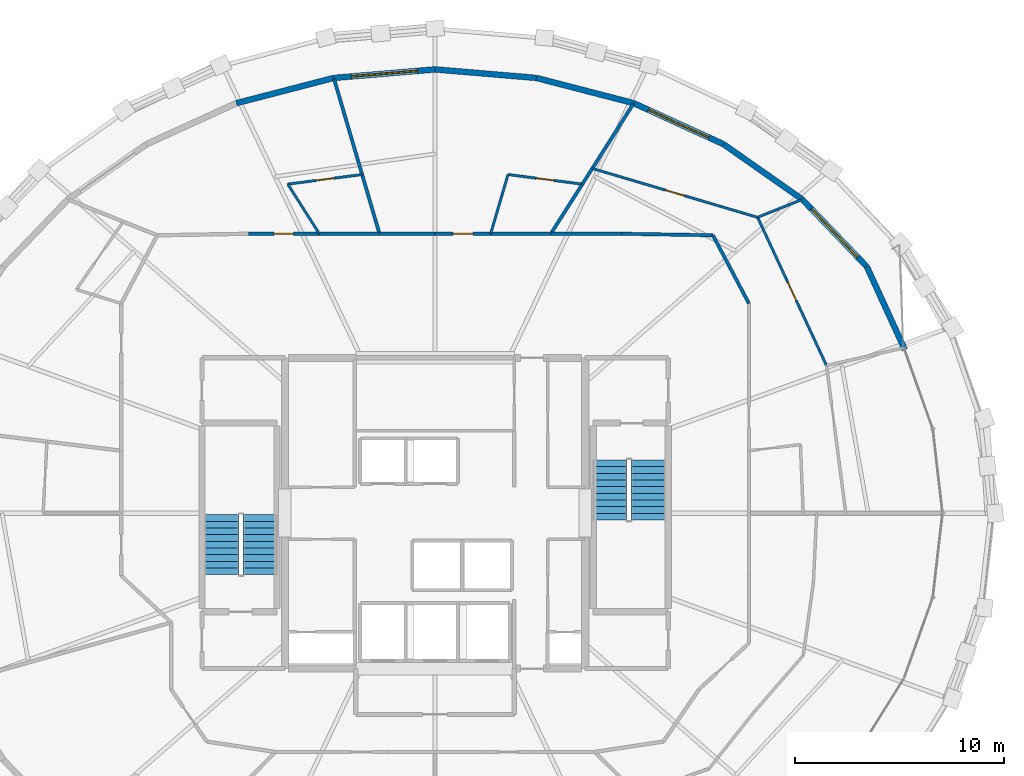
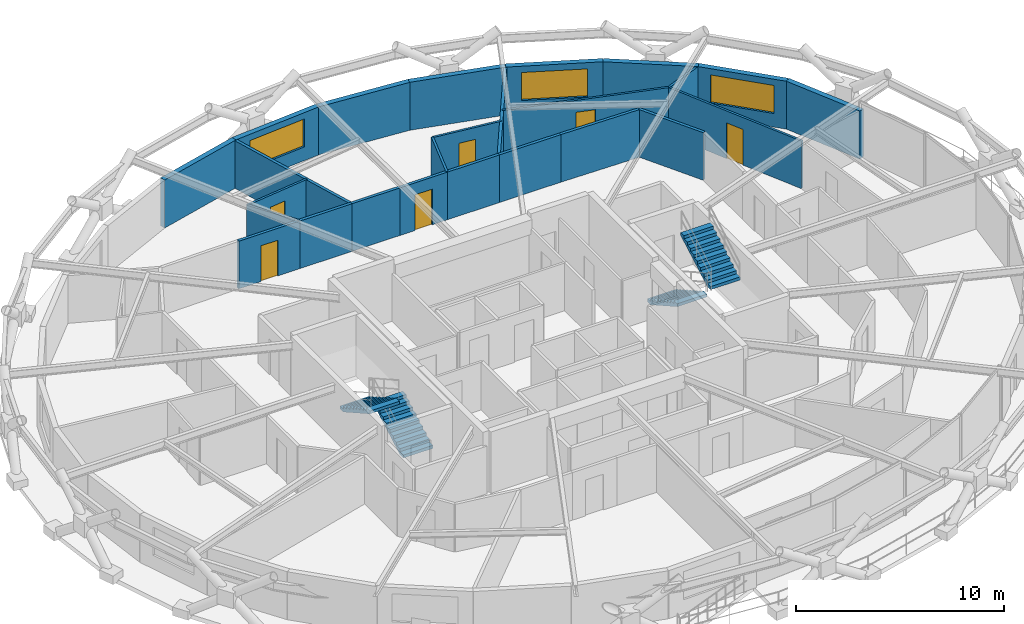
# One storey, part 15 of 16: 25 walls, 6 doors, 4 stair flights, 3 windows, 9 openings, 2 elements without a shape of their own.
"""IFC4 building model written with IfcOpenShell, lengths in metres."""

from ifc_helpers import new_model, si_unit, direction, frame, frame_2d, origin, place, context, subcontext, project, spatial, polyline, rectangle, outline, extrude, material, layer, layer_set, type_object, element, fill, aggregate, save


model = new_model("IFC4")

# Units and contexts
model_context = context("Model", 3, precision=1e-05, world=origin(), true_north=direction((0.0, 1.0)))
body_context = subcontext(model_context, "Body", "Model", "MODEL_VIEW")
ifc_project = project(units=[si_unit("LENGTHUNIT", "METRE"), si_unit("AREAUNIT", "SQUARE_METRE"), si_unit("VOLUMEUNIT", "CUBIC_METRE"), si_unit("PLANEANGLEUNIT", "RADIAN"), si_unit("MASSUNIT", "GRAM", prefix="KILO")], contexts=[model_context])

# Site, building, storey
site_placement = place(None, origin())
site = spatial("IfcSite", under=ifc_project, at=site_placement, CompositionType="ELEMENT")
building_placement = place(site_placement, origin())
building = spatial("IfcBuilding", under=site, at=building_placement, Name="Veldorina Hangang Commons", CompositionType="ELEMENT")
storey_placement = place(building_placement, frame((0.0, 0.0, 192.800048828125)))
storey = spatial("IfcBuildingStorey", under=building, at=storey_placement, Name="L50", CompositionType="ELEMENT", Elevation=192.800048828125)

# Wall
ifc_material_1 = material(Name="Stone Roman Travertine", Category="masonry")
ifc_layer_1 = layer(ifc_material_1, 0.280029296875)
ifc_layer_set_1 = layer_set([ifc_layer_1], Name="Stone Roman Travertine")
wall_type_1 = type_object("IfcWallType", Name="EW-TRAV-280", PredefinedType="STANDARD", material=ifc_layer_set_1)
wall_1_placement = place(storey_placement, frame((54.525390625, 31.845458984375, 0.0), z_axis=(0.0, 0.0, 1.0), x_axis=(-0.416479815363, 0.909144962806, 0.0)))
element("IfcWall", 1, at=wall_1_placement, inside=storey, type_object=wall_type_1, Name="L50 travertine facade wall 02", PredefinedType="STANDARD", context=body_context, shape_type="SweptSolid", body=[
    extrude(rectangle(XDim=4.374267578125, YDim=0.280029296875, at=frame_2d((2.18701171875, 0.0))), origin(), (0.0, 0.0, 1.0), 2.820068359375),
])

# Wall, opening, window
wall_2_placement = place(storey_placement, frame((52.70361328125, 35.822265625, 0.0), z_axis=(0.0, 0.0, 1.0), x_axis=(-0.692654585046, 0.721269454375, 0.0)))
wall_2 = element("IfcWall", 2, at=wall_2_placement, inside=storey, type_object=wall_type_1, Name="L50 travertine facade wall 03", PredefinedType="STANDARD", context=body_context, shape_type="SweptSolid", body=[
    extrude(rectangle(XDim=4.470703125, YDim=0.280029296875, at=frame_2d((2.2353515625, 0.0))), origin(), (0.0, 0.0, 1.0), 2.820068359375),
])
opening_1_placement = place(wall_2_placement, frame((0.63525390625, 0.0, 0.800048828125)))
opening_1 = element("IfcOpeningElement", 3, at=opening_1_placement, cuts=wall_2, Name="Opening W-01", PredefinedType="OPENING", context=body_context, shape_type="SweptSolid", body=[
    extrude(rectangle(XDim=3.199951171875, YDim=1.64990234375, at=frame_2d((1.60009765625, 0.824951171875))), frame((0.0, 0.14990234375, 0.0), z_axis=(0.0, -1.0, 0.0), x_axis=(1.0, 0.0, 0.0)), (0.0, 0.0, 1.0), 0.300048828125),
])
ifc_material_2 = material(Name="Glass Low-E Triple IGU", Category="glass")
window_type = type_object("IfcWindowType", Name="WIN-TWR-3200", PartitioningType="SINGLE_PANEL", PredefinedType="WINDOW", material=ifc_material_2)
window_1_placement = place(opening_1_placement, origin())
window_1 = element("IfcWindow", 4, at=window_1_placement, inside=storey, type_object=window_type, Name="L50 facade window 03", OverallHeight=1.64990234375, OverallWidth=3.199951171875, PartitioningType="SINGLE_PANEL", PredefinedType="WINDOW", context=body_context, shape_type="SweptSolid", body=[
    extrude(rectangle(XDim=3.199951171875, YDim=1.64990234375, at=frame_2d((1.60009765625, 0.824951171875))), frame((0.0, 0.030029296875, 0.0), z_axis=(0.0, -1.0, 0.0), x_axis=(1.0, 0.0, 0.0)), (0.0, 0.0, 1.0), 0.06005859375),
])
fill(opening_1, window_1)

# Wall
wall_3_placement = place(storey_placement, frame((49.60693359375, 39.046875, 0.0), z_axis=(0.0, 0.0, 1.0), x_axis=(-0.818721405334, 0.574190961657, 0.0)))
element("IfcWall", 5, at=wall_3_placement, inside=storey, type_object=wall_type_1, Name="L50 travertine facade wall 04", PredefinedType="STANDARD", context=body_context, shape_type="SweptSolid", body=[
    extrude(rectangle(XDim=4.608642578125, YDim=0.280029296875, at=frame_2d((2.30419921875, 0.0))), origin(), (0.0, 0.0, 1.0), 2.820068359375),
])

# Wall, opening, window
wall_4_placement = place(storey_placement, frame((45.833740234375, 41.693115234375, 0.0), z_axis=(0.0, 0.0, 1.0), x_axis=(-0.909587572303, 0.415512272155, 0.0)))
wall_4 = element("IfcWall", 6, at=wall_4_placement, inside=storey, type_object=wall_type_1, Name="L50 travertine facade wall 05", PredefinedType="STANDARD", context=body_context, shape_type="SweptSolid", body=[
    extrude(rectangle(XDim=4.73291015625, YDim=0.280029296875, at=frame_2d((2.366455078125, 0.0))), origin(), (0.0, 0.0, 1.0), 2.820068359375),
])
opening_2_placement = place(wall_4_placement, frame((0.766357421875, 0.0, 0.800048828125)))
opening_2 = element("IfcOpeningElement", 7, at=opening_2_placement, cuts=wall_4, Name="Opening W-01", PredefinedType="OPENING", context=body_context, shape_type="SweptSolid", body=[
    extrude(rectangle(XDim=3.199951171875, YDim=1.64990234375, at=frame_2d((1.60009765625, 0.824951171875))), frame((0.0, 0.14990234375, 0.0), z_axis=(0.0, -1.0, 0.0), x_axis=(1.0, 0.0, 0.0)), (0.0, 0.0, 1.0), 0.300048828125),
])
window_2_placement = place(opening_2_placement, origin())
window_2 = element("IfcWindow", 8, at=window_2_placement, inside=storey, type_object=window_type, Name="L50 facade window 05", OverallHeight=1.64990234375, OverallWidth=3.199951171875, PartitioningType="SINGLE_PANEL", PredefinedType="WINDOW", context=body_context, shape_type="SweptSolid", body=[
    extrude(rectangle(XDim=3.199951171875, YDim=1.64990234375, at=frame_2d((1.60009765625, 0.824951171875))), frame((0.0, 0.030029296875, 0.0), z_axis=(0.0, -1.0, 0.0), x_axis=(1.0, 0.0, 0.0)), (0.0, 0.0, 1.0), 0.06005859375),
])
fill(opening_2, window_2)

# Walls
wall_5_placement = place(storey_placement, frame((41.52880859375, 43.65966796875, 0.0), z_axis=(0.0, 0.0, 1.0), x_axis=(-0.968001905281, 0.250942844833, 0.0)))
element("IfcWall", 9, at=wall_5_placement, inside=storey, type_object=wall_type_1, Name="L50 travertine facade wall 06", PredefinedType="STANDARD", context=body_context, shape_type="SweptSolid", body=[
    extrude(rectangle(XDim=4.825439453125, YDim=0.280029296875, at=frame_2d((2.41259765625, 0.0))), origin(), (0.0, 0.0, 1.0), 2.820068359375),
])
wall_6_placement = place(storey_placement, frame((36.857666015625, 44.87060546875, 0.0), z_axis=(0.0, 0.0, 1.0), x_axis=(-0.996479473867, 0.083837092992, 0.0)))
element("IfcWall", 10, at=wall_6_placement, inside=storey, type_object=wall_type_1, Name="L50 travertine facade wall 07", PredefinedType="STANDARD", context=body_context, shape_type="SweptSolid", body=[
    extrude(rectangle(XDim=4.874755859375, YDim=0.280029296875, at=frame_2d((2.4375, 0.0))), origin(), (0.0, 0.0, 1.0), 2.820068359375),
])

# Wall, opening, window
wall_7_placement = place(storey_placement, frame((32.0, 45.279296875, 0.0), z_axis=(0.0, 0.0, 1.0), x_axis=(-0.996479473867, -0.083837092992, 0.0)))
wall_7 = element("IfcWall", 11, at=wall_7_placement, inside=storey, type_object=wall_type_1, Name="L50 travertine facade wall 08", PredefinedType="STANDARD", context=body_context, shape_type="SweptSolid", body=[
    extrude(rectangle(XDim=4.874755859375, YDim=0.280029296875, at=frame_2d((2.4375, 0.0))), origin(), (0.0, 0.0, 1.0), 2.820068359375),
])
opening_3_placement = place(wall_7_placement, frame((0.83740234375, 0.0, 0.800048828125)))
opening_3 = element("IfcOpeningElement", 12, at=opening_3_placement, cuts=wall_7, Name="Opening W-01", PredefinedType="OPENING", context=body_context, shape_type="SweptSolid", body=[
    extrude(rectangle(XDim=3.199951171875, YDim=1.64990234375, at=frame_2d((1.60009765625, 0.824951171875))), frame((0.0, 0.14990234375, 0.0), z_axis=(0.0, -1.0, 0.0), x_axis=(1.0, 0.0, 0.0)), (0.0, 0.0, 1.0), 0.300048828125),
])
window_3_placement = place(opening_3_placement, origin())
window_3 = element("IfcWindow", 13, at=window_3_placement, inside=storey, type_object=window_type, Name="L50 facade window 08", OverallHeight=1.64990234375, OverallWidth=3.199951171875, PartitioningType="SINGLE_PANEL", PredefinedType="WINDOW", context=body_context, shape_type="SweptSolid", body=[
    extrude(rectangle(XDim=3.199951171875, YDim=1.64990234375, at=frame_2d((1.60009765625, 0.824951171875))), frame((0.0, 0.030029296875, 0.0), z_axis=(0.0, -1.0, 0.0), x_axis=(1.0, 0.0, 0.0)), (0.0, 0.0, 1.0), 0.06005859375),
])
fill(opening_3, window_3)

# Walls
wall_8_placement = place(storey_placement, frame((27.142333984375, 44.87060546875, 0.0), z_axis=(0.0, 0.0, 1.0), x_axis=(-0.968001905281, -0.250942844833, 0.0)))
element("IfcWall", 14, at=wall_8_placement, inside=storey, type_object=wall_type_1, Name="L50 travertine facade wall 09", PredefinedType="STANDARD", context=body_context, shape_type="SweptSolid", body=[
    extrude(rectangle(XDim=4.825439453125, YDim=0.280029296875, at=frame_2d((2.41259765625, 0.0))), origin(), (0.0, 0.0, 1.0), 2.820068359375),
])
ifc_material_3 = material(Name="Gypsum Fire-Rated Twin Stud Wall", Category="gypsum")
ifc_layer_2 = layer(ifc_material_3, 0.159912109375)
ifc_layer_set_2 = layer_set([ifc_layer_2], Name="Gypsum Fire-Rated Twin Stud Wall")
wall_type_2 = type_object("IfcWallType", Name="WL-FIRE-160", PredefinedType="SOLIDWALL", material=ifc_layer_set_2)
wall_9_placement = place(storey_placement, frame((47.050048828125, 34.05615234375, 0.0), z_axis=(0.0, 0.0, 1.0), x_axis=(-0.466737093093, 0.884396113702, 0.0)))
element("IfcWall", 15, at=wall_9_placement, inside=storey, type_object=wall_type_2, Name="L50 U-corridor outer wall 03 047", PredefinedType="SOLIDWALL", context=body_context, shape_type="SweptSolid", body=[
    extrude(rectangle(XDim=3.696044921875, YDim=0.159912109375, at=frame_2d((1.84814453125, 0.0))), origin(), (0.0, 0.0, 1.0), 2.800048828125),
])
wall_10_placement = place(storey_placement, frame((45.324951171875, 37.324951171875, 0.0), z_axis=(0.0, 0.0, 1.0), x_axis=(-0.999853038912, 0.017143528788, 0.0)))
element("IfcWall", 16, at=wall_10_placement, inside=storey, type_object=wall_type_2, Name="L50 U-corridor outer wall 04 048", PredefinedType="SOLIDWALL", context=body_context, shape_type="SweptSolid", body=[
    extrude(rectangle(XDim=4.3720703125, YDim=0.159912109375, at=frame_2d((2.18603515625, 0.0))), origin(), (0.0, 0.0, 1.0), 2.800048828125),
])
wall_11_placement = place(storey_placement, frame((40.95361328125, 37.39990234375, 0.0), z_axis=(0.0, 0.0, 1.0), x_axis=(-1.0, 0.0, 0.0)))
element("IfcWall", 17, at=wall_11_placement, inside=storey, type_object=wall_type_2, Name="L50 U-corridor outer wall 05 049", PredefinedType="SOLIDWALL", context=body_context, shape_type="SweptSolid", body=[
    extrude(rectangle(XDim=3.403076171875, YDim=0.159912109375, at=frame_2d((1.70166015625, 0.0))), origin(), (0.0, 0.0, 1.0), 2.800048828125),
])
wall_12_placement = place(storey_placement, frame((37.550537109375, 37.39990234375, 0.0), z_axis=(0.0, 0.0, 1.0), x_axis=(-1.0, 0.0, 0.0)))
element("IfcWall", 18, at=wall_12_placement, inside=storey, type_object=wall_type_2, Name="L50 U-corridor outer wall 06 050", PredefinedType="SOLIDWALL", context=body_context, shape_type="SweptSolid", body=[
    extrude(rectangle(XDim=2.88525390625, YDim=0.159912109375, at=frame_2d((1.442626953125, 0.0))), origin(), (0.0, 0.0, 1.0), 2.800048828125),
])

# Wall, opening, door
wall_13_placement = place(storey_placement, frame((34.665283203125, 37.39990234375, 0.0), z_axis=(0.0, 0.0, 1.0), x_axis=(-1.0, 0.0, 0.0)))
wall_13 = element("IfcWall", 19, at=wall_13_placement, inside=storey, type_object=wall_type_2, Name="L50 U-corridor outer wall 07 051", PredefinedType="SOLIDWALL", context=body_context, shape_type="SweptSolid", body=[
    extrude(rectangle(XDim=2.665283203125, YDim=0.159912109375, at=frame_2d((1.33251953125, 0.0))), origin(), (0.0, 0.0, 1.0), 2.800048828125),
])
opening_4_placement = place(wall_13_placement, frame((0.857666015625, 0.0, 0.0)))
opening_4 = element("IfcOpeningElement", 20, at=opening_4_placement, cuts=wall_13, Name="Opening D-03", PredefinedType="OPENING", context=body_context, shape_type="SweptSolid", body=[
    extrude(rectangle(XDim=0.949951171875, YDim=2.10009765625, at=frame_2d((0.47509765625, 1.050048828125))), frame((0.0, 0.08984375, 0.0), z_axis=(0.0, -1.0, 0.0), x_axis=(1.0, 0.0, 0.0)), (0.0, 0.0, 1.0), 0.179931640625),
])
ifc_material_4 = material(Name="Timber Fire-Rated Entrance Core", Category="wood")
door_type_1 = type_object("IfcDoorType", Name="DR-UNIT-950", OperationType="SINGLE_SWING_RIGHT", PredefinedType="DOOR", material=ifc_material_4)
door_1_placement = place(opening_4_placement, origin())
door_1 = element("IfcDoor", 21, at=door_1_placement, inside=storey, type_object=door_type_1, Name="L50 Studio 3 entrance door 026", OperationType="SINGLE_SWING_RIGHT", OverallHeight=2.10009765625, OverallWidth=0.949951171875, PredefinedType="DOOR", context=body_context, shape_type="SweptSolid", body=[
    extrude(rectangle(XDim=0.949951171875, YDim=2.10009765625, at=frame_2d((0.47509765625, 1.050048828125))), frame((0.0, 0.02490234375, 0.0), z_axis=(0.0, -1.0, 0.0), x_axis=(1.0, 0.0, 0.0)), (0.0, 0.0, 1.0), 0.050048828125),
])
fill(opening_4, door_1)

# Walls
wall_14_placement = place(storey_placement, frame((32.0, 37.39990234375, 0.0), z_axis=(0.0, 0.0, 1.0), x_axis=(-1.0, 0.0, 0.0)))
element("IfcWall", 22, at=wall_14_placement, inside=storey, type_object=wall_type_2, Name="L50 U-corridor outer wall 08 052", PredefinedType="SOLIDWALL", context=body_context, shape_type="SweptSolid", body=[
    extrude(rectangle(XDim=2.665283203125, YDim=0.159912109375, at=frame_2d((1.33251953125, 0.0))), origin(), (0.0, 0.0, 1.0), 2.800048828125),
])
wall_15_placement = place(storey_placement, frame((29.334716796875, 37.39990234375, 0.0), z_axis=(0.0, 0.0, 1.0), x_axis=(-1.0, 0.0, 0.0)))
element("IfcWall", 23, at=wall_15_placement, inside=storey, type_object=wall_type_2, Name="L50 U-corridor outer wall 09 053", PredefinedType="SOLIDWALL", context=body_context, shape_type="SweptSolid", body=[
    extrude(rectangle(XDim=2.88525390625, YDim=0.159912109375, at=frame_2d((1.442626953125, 0.0))), origin(), (0.0, 0.0, 1.0), 2.800048828125),
])

# Wall, opening, door
wall_16_placement = place(storey_placement, frame((26.449462890625, 37.39990234375, 0.0), z_axis=(0.0, 0.0, 1.0), x_axis=(-1.0, 0.0, 0.0)))
wall_16 = element("IfcWall", 24, at=wall_16_placement, inside=storey, type_object=wall_type_2, Name="L50 U-corridor outer wall 10 054", PredefinedType="SOLIDWALL", context=body_context, shape_type="SweptSolid", body=[
    extrude(rectangle(XDim=3.403076171875, YDim=0.159912109375, at=frame_2d((1.70166015625, 0.0))), origin(), (0.0, 0.0, 1.0), 2.800048828125),
])
opening_5_placement = place(wall_16_placement, frame((1.2265625, 0.0, 0.0)))
opening_5 = element("IfcOpeningElement", 25, at=opening_5_placement, cuts=wall_16, Name="Opening D-03", PredefinedType="OPENING", context=body_context, shape_type="SweptSolid", body=[
    extrude(rectangle(XDim=0.949951171875, YDim=2.10009765625, at=frame_2d((0.47509765625, 1.050048828125))), frame((0.0, 0.08984375, 0.0), z_axis=(0.0, -1.0, 0.0), x_axis=(1.0, 0.0, 0.0)), (0.0, 0.0, 1.0), 0.179931640625),
])
door_2_placement = place(opening_5_placement, origin())
door_2 = element("IfcDoor", 26, at=door_2_placement, inside=storey, type_object=door_type_1, Name="L50 Studio 4 entrance door 028", OperationType="SINGLE_SWING_RIGHT", OverallHeight=2.10009765625, OverallWidth=0.949951171875, PredefinedType="DOOR", context=body_context, shape_type="SweptSolid", body=[
    extrude(rectangle(XDim=0.949951171875, YDim=2.10009765625, at=frame_2d((0.47509765625, 1.050048828125))), frame((0.0, 0.02490234375, 0.0), z_axis=(0.0, -1.0, 0.0), x_axis=(1.0, 0.0, 0.0)), (0.0, 0.0, 1.0), 0.050048828125),
])
fill(opening_5, door_2)

# Walls
wall_17_placement = place(storey_placement, frame((37.550537109375, 37.39990234375, 0.0), z_axis=(0.0, 0.0, 1.0), x_axis=(0.536373616105, 0.843980653775, 0.0)))
element("IfcWall", 27, at=wall_17_placement, inside=storey, type_object=wall_type_2, Name="L50 Unit party wall 06 090", PredefinedType="SOLIDWALL", context=body_context, shape_type="SweptSolid", body=[
    extrude(rectangle(XDim=7.366943359375, YDim=0.159912109375, at=frame_2d((3.68359375, 0.0))), origin(), (0.0, 0.0, 1.0), 2.800048828125),
])
wall_18_placement = place(storey_placement, frame((29.334716796875, 37.39990234375, 0.0), z_axis=(0.0, 0.0, 1.0), x_axis=(-0.281583607125, 0.95953669664, 0.0)))
element("IfcWall", 28, at=wall_18_placement, inside=storey, type_object=wall_type_2, Name="L50 Unit party wall 09 093", PredefinedType="SOLIDWALL", context=body_context, shape_type="SweptSolid", body=[
    extrude(rectangle(XDim=7.735595703125, YDim=0.159912109375, at=frame_2d((3.86767578125, 0.0))), origin(), (0.0, 0.0, 1.0), 2.800048828125),
])

# Wall, opening, door
ifc_material_5 = material(Name="Gypsum Acoustic Stud Partition", Category="gypsum")
ifc_layer_3 = layer(ifc_material_5, 0.1201171875)
ifc_layer_set_3 = layer_set([ifc_layer_3], Name="Gypsum Acoustic Stud Partition")
wall_type_3 = type_object("IfcWallType", Name="WL-PART-120", PredefinedType="PARTITIONING", material=ifc_layer_set_3)
wall_19_placement = place(storey_placement, frame((50.7685546875, 31.081298828125, 0.0), z_axis=(0.0, 0.0, 1.0), x_axis=(-0.421528761088, 0.906815032725, 0.0)))
wall_19 = element("IfcWall", 29, at=wall_19_placement, inside=storey, type_object=wall_type_3, Name="L50 Cluster 2 bed 2 front wall 086", PredefinedType="PARTITIONING", context=body_context, shape_type="SweptSolid", body=[
    extrude(rectangle(XDim=7.83447265625, YDim=0.1201171875, at=frame_2d((3.917236328125, 0.0))), origin(), (0.0, 0.0, 1.0), 2.800048828125),
])
opening_6_placement = place(wall_19_placement, frame((3.4423828125, 0.0, 0.0)))
opening_6 = element("IfcOpeningElement", 30, at=opening_6_placement, cuts=wall_19, Name="Opening D-02", PredefinedType="OPENING", context=body_context, shape_type="SweptSolid", body=[
    extrude(rectangle(XDim=0.949951171875, YDim=2.10009765625, at=frame_2d((0.47509765625, 1.050048828125))), frame((0.0, 0.070068359375, 0.0), z_axis=(0.0, -1.0, 0.0), x_axis=(1.0, 0.0, 0.0)), (0.0, 0.0, 1.0), 0.14013671875),
])
ifc_material_6 = material(Name="Timber Solid Core Acoustic", Category="wood")
door_type_2 = type_object("IfcDoorType", Name="DR-INT-950", OperationType="SINGLE_SWING_LEFT", PredefinedType="DOOR", material=ifc_material_6)
door_3_placement = place(opening_6_placement, origin())
door_3 = element("IfcDoor", 31, at=door_3_placement, inside=storey, type_object=door_type_2, Name="L50 Cluster 2 bed 2 door 023", OperationType="SINGLE_SWING_LEFT", OverallHeight=2.10009765625, OverallWidth=0.949951171875, PredefinedType="DOOR", context=body_context, shape_type="SweptSolid", body=[
    extrude(rectangle(XDim=0.949951171875, YDim=2.10009765625, at=frame_2d((0.47509765625, 1.050048828125))), frame((0.0, 0.02490234375, 0.0), z_axis=(0.0, -1.0, 0.0), x_axis=(1.0, 0.0, 0.0)), (0.0, 0.0, 1.0), 0.050048828125),
])
fill(opening_6, door_3)

wall_20_placement = place(storey_placement, frame((47.466064453125, 38.185791015625, 0.0), z_axis=(0.0, 0.0, 1.0), x_axis=(-0.958949642068, 0.283576416469, 0.0)))
wall_20 = element("IfcWall", 32, at=wall_20_placement, inside=storey, type_object=wall_type_3, Name="L50 Cluster 2 bed 3 front wall 088", PredefinedType="PARTITIONING", context=body_context, shape_type="SweptSolid", body=[
    extrude(rectangle(XDim=8.265869140625, YDim=0.1201171875, at=frame_2d((4.1328125, 0.0))), origin(), (0.0, 0.0, 1.0), 2.800048828125),
])
opening_7_placement = place(wall_20_placement, frame((3.657958984375, 0.0, 0.0)))
opening_7 = element("IfcOpeningElement", 33, at=opening_7_placement, cuts=wall_20, Name="Opening D-02", PredefinedType="OPENING", context=body_context, shape_type="SweptSolid", body=[
    extrude(rectangle(XDim=0.949951171875, YDim=2.10009765625, at=frame_2d((0.47509765625, 1.050048828125))), frame((0.0, 0.070068359375, 0.0), z_axis=(0.0, -1.0, 0.0), x_axis=(1.0, 0.0, 0.0)), (0.0, 0.0, 1.0), 0.14013671875),
])
door_4_placement = place(opening_7_placement, origin())
door_4 = element("IfcDoor", 34, at=door_4_placement, inside=storey, type_object=door_type_2, Name="L50 Cluster 2 bed 3 door 024", OperationType="SINGLE_SWING_RIGHT", OverallHeight=2.10009765625, OverallWidth=0.949951171875, PredefinedType="DOOR", context=body_context, shape_type="SweptSolid", body=[
    extrude(rectangle(XDim=0.949951171875, YDim=2.10009765625, at=frame_2d((0.47509765625, 1.050048828125))), frame((0.0, 0.02490234375, 0.0), z_axis=(0.0, -1.0, 0.0), x_axis=(1.0, 0.0, 0.0)), (0.0, 0.0, 1.0), 0.050048828125),
])
fill(opening_7, door_4)

# Wall
wall_21_placement = place(storey_placement, frame((47.466064453125, 38.185791015625, 0.0), z_axis=(0.0, 0.0, 1.0), x_axis=(0.927788935217, 0.373105469926, 0.0)))
element("IfcWall", 35, at=wall_21_placement, inside=storey, type_object=wall_type_3, Name="L50 Cluster 2 bed divider 2 089", PredefinedType="PARTITIONING", context=body_context, shape_type="SweptSolid", body=[
    extrude(rectangle(XDim=2.257568359375, YDim=0.1201171875, at=frame_2d((1.12890625, 0.0))), origin(), (0.0, 0.0, 1.0), 2.800048828125),
])

# Wall, opening, door
wall_22_placement = place(storey_placement, frame((39.062255859375, 39.778564453125, 0.0), z_axis=(0.0, 0.0, 1.0), x_axis=(-0.991764787462, 0.128072660435, 0.0)))
wall_22 = element("IfcWall", 36, at=wall_22_placement, inside=storey, type_object=wall_type_3, Name="L50 Studio 3 bath front wall 091", PredefinedType="PARTITIONING", context=body_context, shape_type="SweptSolid", body=[
    extrude(rectangle(XDim=3.59326171875, YDim=0.1201171875, at=frame_2d((1.796630859375, 0.0))), origin(), (0.0, 0.0, 1.0), 2.800048828125),
])
opening_8_placement = place(wall_22_placement, frame((1.36669921875, 0.0, 0.0)))
opening_8 = element("IfcOpeningElement", 37, at=opening_8_placement, cuts=wall_22, Name="Opening D-01", PredefinedType="OPENING", context=body_context, shape_type="SweptSolid", body=[
    extrude(rectangle(XDim=0.860107421875, YDim=2.10009765625, at=frame_2d((0.43017578125, 1.050048828125))), frame((0.0, 0.070068359375, 0.0), z_axis=(0.0, -1.0, 0.0), x_axis=(1.0, 0.0, 0.0)), (0.0, 0.0, 1.0), 0.14013671875),
])
ifc_material_7 = material(Name="Timber Moisture-Resistant Core", Category="wood")
door_type_3 = type_object("IfcDoorType", Name="DR-WET-860", OperationType="SINGLE_SWING_LEFT", PredefinedType="DOOR", material=ifc_material_7)
door_5_placement = place(opening_8_placement, origin())
door_5 = element("IfcDoor", 38, at=door_5_placement, inside=storey, type_object=door_type_3, Name="L50 Studio 3 bathroom door 025", OperationType="SINGLE_SWING_LEFT", OverallHeight=2.10009765625, OverallWidth=0.860107421875, PredefinedType="DOOR", context=body_context, shape_type="SweptSolid", body=[
    extrude(rectangle(XDim=0.860107421875, YDim=2.10009765625, at=frame_2d((0.43017578125, 1.050048828125))), frame((0.0, 0.02490234375, 0.0), z_axis=(0.0, -1.0, 0.0), x_axis=(1.0, 0.0, 0.0)), (0.0, 0.0, 1.0), 0.050048828125),
])
fill(opening_8, door_5)

# Wall
wall_23_placement = place(storey_placement, frame((34.665283203125, 37.39990234375, 0.0), z_axis=(0.0, 0.0, 1.0), x_axis=(0.28163464266, 0.959521718386, 0.0)))
element("IfcWall", 39, at=wall_23_placement, inside=storey, type_object=wall_type_3, Name="L50 Studio 3 bath side wall 092", PredefinedType="PARTITIONING", context=body_context, shape_type="SweptSolid", body=[
    extrude(rectangle(XDim=2.958740234375, YDim=0.1201171875, at=frame_2d((1.4794921875, 0.0))), origin(), (0.0, 0.0, 1.0), 2.800048828125),
])

# Wall, opening, door
wall_24_placement = place(storey_placement, frame((28.50146484375, 40.23876953125, 0.0), z_axis=(0.0, 0.0, 1.0), x_axis=(-0.991764787462, -0.128072660435, 0.0)))
wall_24 = element("IfcWall", 40, at=wall_24_placement, inside=storey, type_object=wall_type_3, Name="L50 Studio 4 bath front wall 094", PredefinedType="PARTITIONING", context=body_context, shape_type="SweptSolid", body=[
    extrude(rectangle(XDim=3.59326171875, YDim=0.1201171875, at=frame_2d((1.796630859375, 0.0))), origin(), (0.0, 0.0, 1.0), 2.800048828125),
])
opening_9_placement = place(wall_24_placement, frame((1.36669921875, 0.0, 0.0)))
opening_9 = element("IfcOpeningElement", 41, at=opening_9_placement, cuts=wall_24, Name="Opening D-01", PredefinedType="OPENING", context=body_context, shape_type="SweptSolid", body=[
    extrude(rectangle(XDim=0.860107421875, YDim=2.10009765625, at=frame_2d((0.43017578125, 1.050048828125))), frame((0.0, 0.070068359375, 0.0), z_axis=(0.0, -1.0, 0.0), x_axis=(1.0, 0.0, 0.0)), (0.0, 0.0, 1.0), 0.14013671875),
])
door_6_placement = place(opening_9_placement, origin())
door_6 = element("IfcDoor", 42, at=door_6_placement, inside=storey, type_object=door_type_3, Name="L50 Studio 4 bathroom door 027", OperationType="SINGLE_SWING_LEFT", OverallHeight=2.10009765625, OverallWidth=0.860107421875, PredefinedType="DOOR", context=body_context, shape_type="SweptSolid", body=[
    extrude(rectangle(XDim=0.860107421875, YDim=2.10009765625, at=frame_2d((0.43017578125, 1.050048828125))), frame((0.0, 0.02490234375, 0.0), z_axis=(0.0, -1.0, 0.0), x_axis=(1.0, 0.0, 0.0)), (0.0, 0.0, 1.0), 0.050048828125),
])
fill(opening_9, door_6)

# Wall
wall_25_placement = place(storey_placement, frame((26.449462890625, 37.39990234375, 0.0), z_axis=(0.0, 0.0, 1.0), x_axis=(-0.536376545324, 0.843978792166, 0.0)))
element("IfcWall", 43, at=wall_25_placement, inside=storey, type_object=wall_type_3, Name="L50 Studio 4 bath side wall 095", PredefinedType="PARTITIONING", context=body_context, shape_type="SweptSolid", body=[
    extrude(rectangle(XDim=2.818359375, YDim=0.1201171875, at=frame_2d((1.4091796875, 0.0))), origin(), (0.0, 0.0, 1.0), 2.800048828125),
])

# Stair, stair flights
ifc_material_8 = material(Name="Concrete C40/50", Category="concrete")
stair_type = type_object("IfcStairType", Name="STR-DOG-1650-20R", PredefinedType="HALF_TURN_STAIR", material=ifc_material_8)
stair_1_placement = place(storey_placement, origin())
stair_1 = element("IfcStair", 44, at=stair_1_placement, inside=storey, type_object=stair_type, Name="L50 Exit stair ST-1", PredefinedType="HALF_TURN_STAIR")
stair_flight_type = type_object("IfcStairFlightType", Name="SFL-STR-1650-20R", PredefinedType="STRAIGHT", material=ifc_material_8)
stair_flight_1_placement = place(storey_placement, frame((23.625, 21.050048828125, 0.0), z_axis=(0.0, 0.0, 1.0), x_axis=(0.0, 1.0, 0.0)))
stair_flight_1 = element("IfcStairFlight", 45, at=stair_flight_1_placement, type_object=stair_flight_type, Name="ST-1 flight 1", NumberOfRisers=10, NumberOfTreads=9, PredefinedType="STRAIGHT", RiserHeight=0.18, TreadLength=0.32, context=body_context, shape_type="SweptSolid", body=[
    extrude(outline(polyline([(0.0, 0.0), (0.0, 0.179931640625), (0.320068359375, 0.179931640625), (0.320068359375, 0.360107421875), (0.639892578125, 0.360107421875), (0.639892578125, 0.5400390625), (0.9599609375, 0.5400390625), (0.9599609375, 0.719970703125), (1.280029296875, 0.719970703125), (1.280029296875, 0.89990234375), (1.60009765625, 0.89990234375), (1.60009765625, 1.080078125), (1.919921875, 1.080078125), (1.919921875, 1.260009765625), (2.239990234375, 1.260009765625), (2.239990234375, 1.43994140625), (2.56005859375, 1.43994140625), (2.56005859375, 1.6201171875), (2.8798828125, 1.6201171875), (2.8798828125, 1.800048828125), (2.8798828125, 1.447998046875), (0.3056640625, 0.0), (0.0, 0.0)])), frame((0.0, 0.824951171875, 0.0), z_axis=(0.0, -1.0, 0.0), x_axis=(1.0, 0.0, 0.0)), (0.0, 0.0, 1.0), 1.64990234375),
])
stair_flight_2_placement = place(storey_placement, frame((21.77490234375, 23.929931640625, 1.800048828125), z_axis=(0.0, 0.0, 1.0), x_axis=(0.0, -1.0, 0.0)))
stair_flight_2 = element("IfcStairFlight", 46, at=stair_flight_2_placement, type_object=stair_flight_type, Name="ST-1 flight 2", NumberOfRisers=10, NumberOfTreads=9, PredefinedType="STRAIGHT", RiserHeight=0.18, TreadLength=0.32, context=body_context, shape_type="SweptSolid", body=[
    extrude(outline(polyline([(0.0, 0.0), (0.0, 0.179931640625), (0.320068359375, 0.179931640625), (0.320068359375, 0.360107421875), (0.639892578125, 0.360107421875), (0.639892578125, 0.5400390625), (0.9599609375, 0.5400390625), (0.9599609375, 0.719970703125), (1.280029296875, 0.719970703125), (1.280029296875, 0.89990234375), (1.60009765625, 0.89990234375), (1.60009765625, 1.080078125), (1.919921875, 1.080078125), (1.919921875, 1.260009765625), (2.239990234375, 1.260009765625), (2.239990234375, 1.43994140625), (2.56005859375, 1.43994140625), (2.56005859375, 1.6201171875), (2.8798828125, 1.6201171875), (2.8798828125, 1.800048828125), (2.8798828125, 1.447998046875), (0.3056640625, 0.0), (0.0, 0.0)])), frame((0.0, 0.824951171875, 0.0), z_axis=(0.0, -1.0, 0.0), x_axis=(1.0, 0.0, 0.0)), (0.0, 0.0, 1.0), 1.64990234375),
])
aggregate(stair_1, [stair_flight_1, stair_flight_2])

stair_2_placement = place(storey_placement, origin())
stair_2 = element("IfcStair", 47, at=stair_2_placement, inside=storey, type_object=stair_type, Name="L50 Exit stair ST-2", PredefinedType="HALF_TURN_STAIR")
stair_flight_3_placement = place(storey_placement, frame((40.375, 26.550048828125, 0.0), z_axis=(0.0, 0.0, 1.0), x_axis=(0.0, -1.0, 0.0)))
stair_flight_3 = element("IfcStairFlight", 48, at=stair_flight_3_placement, type_object=stair_flight_type, Name="ST-2 flight 1", NumberOfRisers=10, NumberOfTreads=9, PredefinedType="STRAIGHT", RiserHeight=0.18, TreadLength=0.32, context=body_context, shape_type="SweptSolid", body=[
    extrude(outline(polyline([(0.0, 0.0), (0.0, 0.179931640625), (0.320068359375, 0.179931640625), (0.320068359375, 0.360107421875), (0.639892578125, 0.360107421875), (0.639892578125, 0.5400390625), (0.9599609375, 0.5400390625), (0.9599609375, 0.719970703125), (1.280029296875, 0.719970703125), (1.280029296875, 0.89990234375), (1.60009765625, 0.89990234375), (1.60009765625, 1.080078125), (1.919921875, 1.080078125), (1.919921875, 1.260009765625), (2.239990234375, 1.260009765625), (2.239990234375, 1.43994140625), (2.56005859375, 1.43994140625), (2.56005859375, 1.6201171875), (2.8798828125, 1.6201171875), (2.8798828125, 1.800048828125), (2.8798828125, 1.447998046875), (0.3056640625, 0.0), (0.0, 0.0)])), frame((0.0, 0.824951171875, 0.0), z_axis=(0.0, -1.0, 0.0), x_axis=(1.0, 0.0, 0.0)), (0.0, 0.0, 1.0), 1.64990234375),
])
stair_flight_4_placement = place(storey_placement, frame((42.22509765625, 23.669921875, 1.800048828125), z_axis=(0.0, 0.0, 1.0), x_axis=(0.0, 1.0, 0.0)))
stair_flight_4 = element("IfcStairFlight", 49, at=stair_flight_4_placement, type_object=stair_flight_type, Name="ST-2 flight 2", NumberOfRisers=10, NumberOfTreads=9, PredefinedType="STRAIGHT", RiserHeight=0.18, TreadLength=0.32, context=body_context, shape_type="SweptSolid", body=[
    extrude(outline(polyline([(0.0, 0.0), (0.0, 0.179931640625), (0.320068359375, 0.179931640625), (0.320068359375, 0.360107421875), (0.639892578125, 0.360107421875), (0.639892578125, 0.5400390625), (0.9599609375, 0.5400390625), (0.9599609375, 0.719970703125), (1.280029296875, 0.719970703125), (1.280029296875, 0.89990234375), (1.60009765625, 0.89990234375), (1.60009765625, 1.080078125), (1.919921875, 1.080078125), (1.919921875, 1.260009765625), (2.239990234375, 1.260009765625), (2.239990234375, 1.43994140625), (2.56005859375, 1.43994140625), (2.56005859375, 1.6201171875), (2.8798828125, 1.6201171875), (2.8798828125, 1.800048828125), (2.8798828125, 1.447998046875), (0.3056640625, 0.0), (0.0, 0.0)])), frame((0.0, 0.824951171875, 0.0), z_axis=(0.0, -1.0, 0.0), x_axis=(1.0, 0.0, 0.0)), (0.0, 0.0, 1.0), 1.64990234375),
])
aggregate(stair_2, [stair_flight_3, stair_flight_4])

save(model, "model.ifc")
